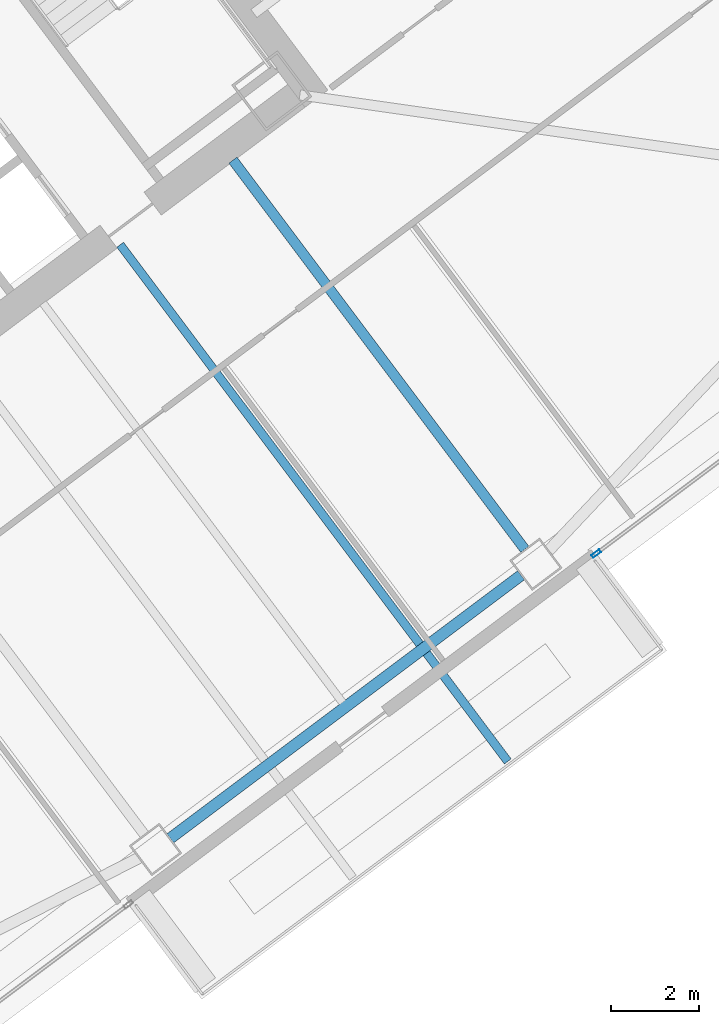
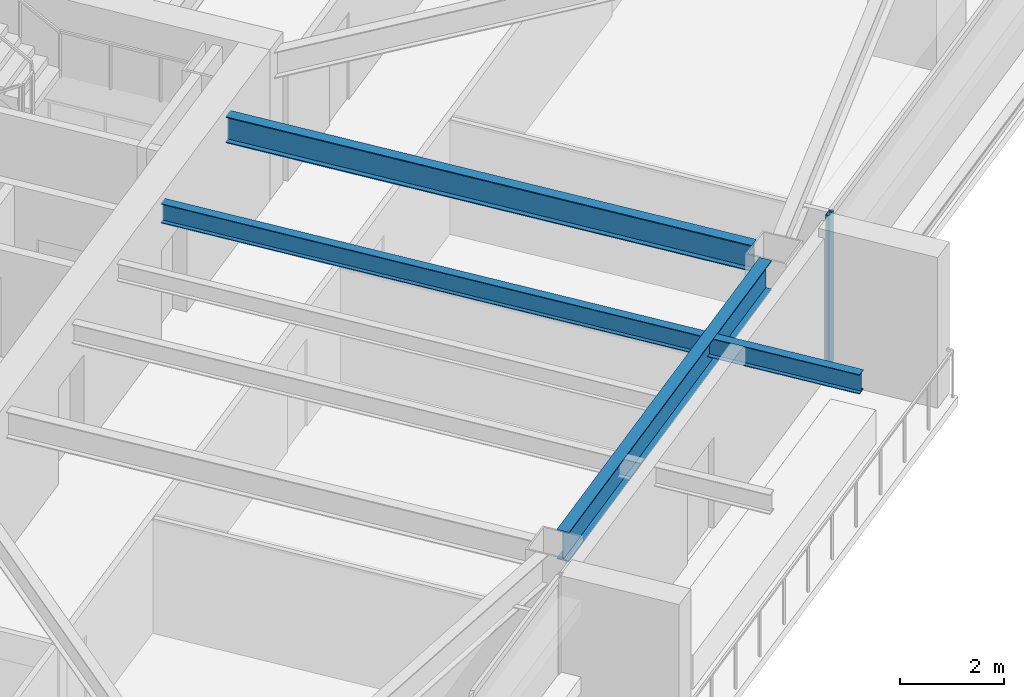
# One storey, part 24 of 44: 3 beams, 1 member, 1 element without a shape of its own.
"""IFC4 building model written with IfcOpenShell, lengths in metres."""

from ifc_helpers import new_model, si_unit, direction, frame, origin, origin_2d, place, context, subcontext, project, spatial, hollow_rectangle, i_section, extrude, material, material_profile, profile_set, type_object, element, aggregate, save


model = new_model("IFC4")

# Units and contexts
model_context = context("Model", 3, precision=1e-05, world=origin(), true_north=direction((0.0, 1.0)))
body_context = subcontext(model_context, "Body", "Model", "MODEL_VIEW")
ifc_project = project(units=[si_unit("LENGTHUNIT", "METRE"), si_unit("AREAUNIT", "SQUARE_METRE"), si_unit("VOLUMEUNIT", "CUBIC_METRE"), si_unit("PLANEANGLEUNIT", "RADIAN"), si_unit("MASSUNIT", "GRAM", prefix="KILO")], contexts=[model_context])

# Site, building, storey
site_placement = place(None, origin())
site = spatial("IfcSite", under=ifc_project, at=site_placement, CompositionType="ELEMENT")
building_placement = place(site_placement, origin())
building = spatial("IfcBuilding", under=site, at=building_placement, Name="Tashvorn Skyway Center", CompositionType="ELEMENT")
storey_placement = place(building_placement, frame((0.0, 0.0, 102.699951171875)))
storey = spatial("IfcBuildingStorey", under=building, at=storey_placement, Name="L27", CompositionType="ELEMENT", Elevation=102.699951171875)

# Beams
ifc_material_1 = material(Name="Steel ASTM A992 Grade 50", Category="steel")
ifc_material_profile_1 = material_profile(ifc_material_1, i_section(OverallWidth=0.22998046875, OverallDepth=0.616943359375, WebThickness=0.01318359375, FlangeThickness=0.022216796875, at=origin_2d()), Name="W24X94")
ifc_profile_set_1 = profile_set([ifc_material_profile_1], Name="Steel ASTM A992 Grade 50")
beam_type_1 = type_object("IfcBeamType", Name="BM-BEAM-W24X94", PredefinedType="BEAM", material=ifc_profile_set_1)
beam_1_placement = place(storey_placement, frame((129.617919921875, 20.176025390625, 3.04150390625), z_axis=(-0.599989394744, 0.800007953832, 0.0), x_axis=(-0.800007953832, -0.599989394744, 0.0)))
element("IfcBeam", 1, at=beam_1_placement, inside=storey, type_object=beam_type_1, Name="Tower 2 L27 Primary Floor Girder FC-S2", PredefinedType="BEAM", context=body_context, shape_type="SweptSolid", body=[
    extrude(i_section(OverallWidth=0.22998046875, OverallDepth=0.616943359375, WebThickness=0.01318359375, FlangeThickness=0.022216796875, at=origin_2d()), origin(), (0.0, 0.0, 1.0), 11.050048828125),
])
ifc_material_profile_2 = material_profile(ifc_material_1, i_section(OverallWidth=0.19091796875, OverallDepth=0.4599609375, WebThickness=0.010009765625, FlangeThickness=0.01611328125, at=origin_2d()), Name="W18X55")
ifc_profile_set_2 = profile_set([ifc_material_profile_2], Name="Steel ASTM A992 Grade 50")
beam_type_2 = type_object("IfcBeamType", Name="BM-JOIST-W18X55", PredefinedType="JOIST", material=ifc_profile_set_2)
beam_2_placement = place(storey_placement, frame((120.427978515625, 27.095947265625, 3.1201171875), z_axis=(0.600005325527, -0.799996005827, 0.0), x_axis=(0.799996005827, 0.600005325527, 0.0)))
element("IfcBeam", 2, at=beam_2_placement, inside=storey, type_object=beam_type_2, Name="Tower 2 L28 Terrace Cantilever Outlooker 2", PredefinedType="JOIST", context=body_context, shape_type="SweptSolid", body=[
    extrude(i_section(OverallWidth=0.19091796875, OverallDepth=0.4599609375, WebThickness=0.010009765625, FlangeThickness=0.01611328125, at=origin_2d()), origin(), (0.0, 0.0, 1.0), 14.669921875),
])
ifc_material_profile_3 = material_profile(ifc_material_1, i_section(OverallWidth=0.256103515625, OverallDepth=0.693115234375, WebThickness=0.014404296875, FlangeThickness=0.023681640625, at=origin_2d()), Name="W27X114")
ifc_profile_set_3 = profile_set([ifc_material_profile_3], Name="Steel ASTM A992 Grade 50")
beam_type_3 = type_object("IfcBeamType", Name="BM-SPANDREL-W27X114", PredefinedType="SPANDREL", material=ifc_profile_set_3)
beam_3_placement = place(storey_placement, frame((121.56591796875, 13.612060546875, 3.003662109375), z_axis=(0.800008824351, 0.599988234018, 0.0), x_axis=(-0.599988234018, 0.800008824351, 0.0)))
element("IfcBeam", 3, at=beam_3_placement, inside=storey, type_object=beam_type_3, Name="Tower 2 L27 Spandrel Beam 02", PredefinedType="SPANDREL", context=body_context, shape_type="SweptSolid", body=[
    extrude(i_section(OverallWidth=0.256103515625, OverallDepth=0.693115234375, WebThickness=0.014404296875, FlangeThickness=0.023681640625, at=origin_2d()), origin(), (0.0, 0.0, 1.0), 9.9599609375),
])

# Curtain wall, member
ifc_material_2 = material(Name="Thermally broken bronze-anodized aluminium 6063-T6", Category="aluminium")
curtain_wall_type = type_object("IfcCurtainWallType", Name="CW-CW-Z2", PredefinedType="NOTDEFINED", material=ifc_material_2)
curtain_wall_placement = place(storey_placement, origin())
curtain_wall = element("IfcCurtainWall", 4, at=curtain_wall_placement, inside=storey, type_object=curtain_wall_type, Name="Tower 2 L27 South Curtain Wall L", PredefinedType="NOTDEFINED")
ifc_material_profile_4 = material_profile(ifc_material_2, hollow_rectangle(XDim=0.080078125, YDim=0.219970703125, WallThickness=0.0048828125, at=origin_2d()), Name="ALU-MULL-80x220")
ifc_profile_set_4 = profile_set([ifc_material_profile_4], Name="Thermally broken bronze-anodized aluminium 6063-T6")
member_type = type_object("IfcMemberType", Name="CWM-CW-Z2", PredefinedType="MULLION", material=ifc_profile_set_4)
member_placement = place(storey_placement, frame((131.239990234375, 20.080078125, 0.0), z_axis=(0.0, 0.0, 1.0), x_axis=(0.600000000002, -0.799999999998, 0.0)))
member = element("IfcMember", 5, at=member_placement, type_object=member_type, Name="CW-Z2 mullion 2", PredefinedType="MULLION", context=body_context, shape_type="SweptSolid", body=[
    extrude(hollow_rectangle(XDim=0.080078125, YDim=0.219970703125, WallThickness=0.0048828125, at=origin_2d()), origin(), (0.0, 0.0, 1.0), 3.550048828125),
])
aggregate(curtain_wall, [member])

save(model, "model.ifc")
